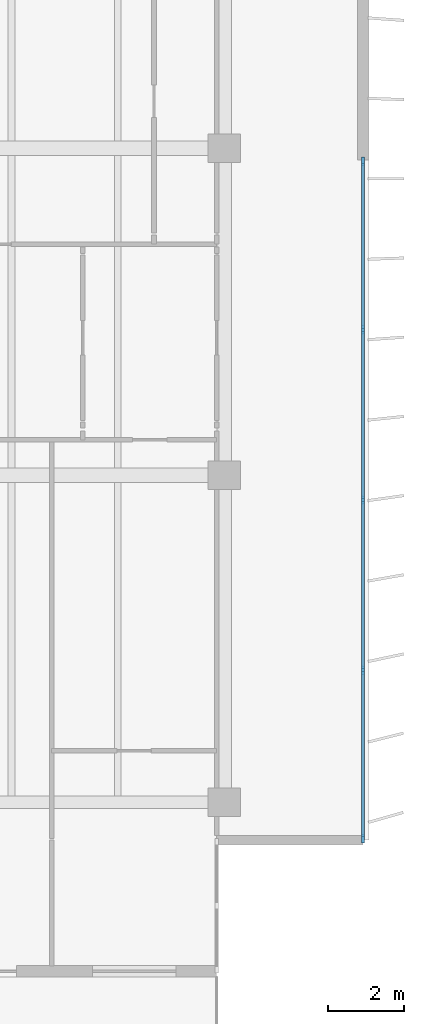
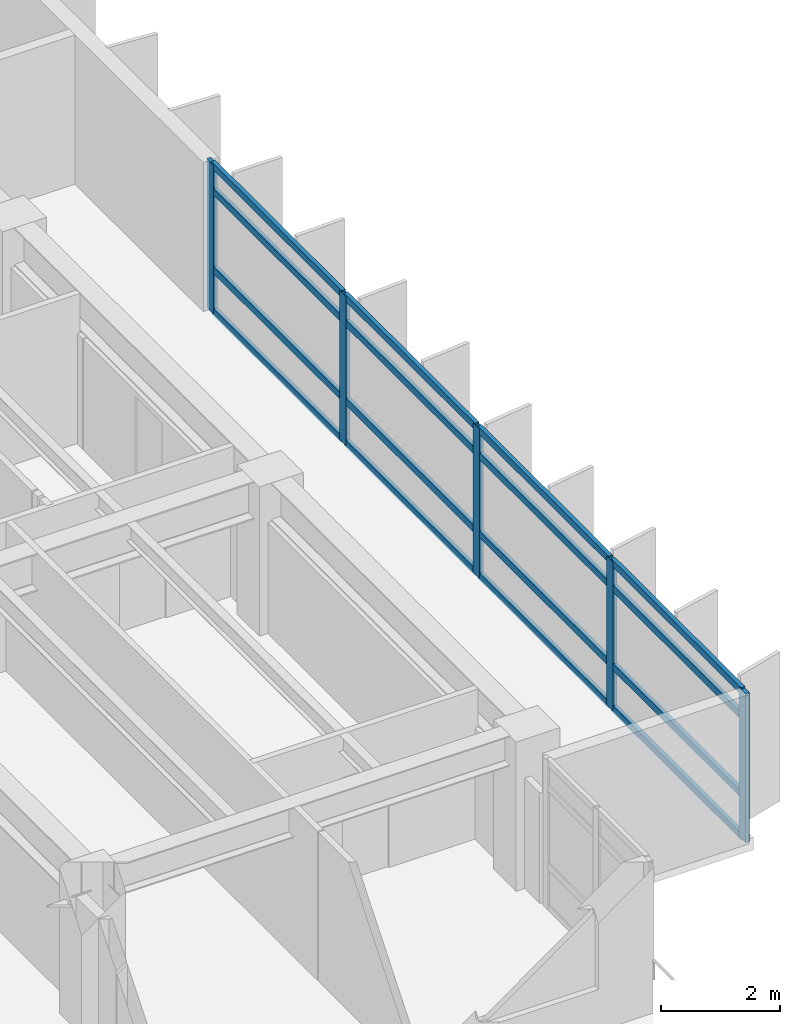
# One storey, part 6 of 19: 21 members, 1 element without a shape of its own.
"""IFC4 building model written with IfcOpenShell, lengths in metres."""

import ifcopenshell
import ifcopenshell.guid

model = None  # the IFC model being written
_history = None  # IfcOwnerHistory: only IFC2X3 demands one
_inside = {}  # id of a spatial element -> (the spatial element, [elements in it])
_under = {}  # id of a project, library or spatial element -> (it, [spatial elements below it])
_declared = {}  # id of a project -> (the project, [libraries it declares])
_typed = {}  # id of a type object -> (the type object, [elements of that type])
_made_of = {}  # id of a material, layer set ... -> (it, [elements and type objects made of it])


def new_model(schema):
    """Start an empty IFC model of exactly this schema.

    Asked for "IFC4X3", IfcOpenShell would pick the latest addendum, in which some entities
    have other attributes; the version numbers below select the first issue.
    IFC2X3 requires an IfcOwnerHistory on every rooted entity: one is made here for all.
    """
    global model, _history
    if schema == "IFC4X3":
        model = ifcopenshell.file(schema_version=(4, 3, 0, 0))
    else:
        model = ifcopenshell.file(schema=schema)
    _inside.clear()
    _under.clear()
    _declared.clear()
    _typed.clear()
    _made_of.clear()
    _history = None
    if model.schema == "IFC2X3":
        org = make("IfcOrganization", Name="unknown")
        user = make(
            "IfcPersonAndOrganization",
            ThePerson=make("IfcPerson", FamilyName="unknown"),
            TheOrganization=org,
        )
        app = make(
            "IfcApplication",
            ApplicationDeveloper=org,
            Version="unknown",
            ApplicationFullName="unknown",
            ApplicationIdentifier="unknown",
        )
        _history = make(
            "IfcOwnerHistory",
            OwningUser=user,
            OwningApplication=app,
            ChangeAction="ADDED",
            CreationDate=0,
        )
    return model


def make(cls, **values):
    """One entity of the class cls with the attributes given. An attribute that is None is left unset."""
    return model.create_entity(
        cls, **{name: value for name, value in values.items() if value is not None}
    )


def rooted(cls, **values):
    """An entity with a GlobalId (a new one), such as an element, a storey or a relation."""
    return make(cls, GlobalId=ifcopenshell.guid.new(), OwnerHistory=_history, **values)


def si_unit(unit_type, name, prefix=None):
    """IfcSIUnit, for example si_unit("LENGTHUNIT", "METRE", prefix="MILLI")."""
    return make("IfcSIUnit", UnitType=unit_type, Prefix=prefix, Name=name)


def assignment(units):
    """IfcUnitAssignment: the units of a project."""
    return None if units is None else make("IfcUnitAssignment", Units=units)


def point(xyz):
    """IfcCartesianPoint."""
    return None if xyz is None else make("IfcCartesianPoint", Coordinates=xyz)


def direction(xyz):
    """IfcDirection."""
    return None if xyz is None else make("IfcDirection", DirectionRatios=xyz)


def frame(location, z_axis=None, x_axis=None):
    """IfcAxis2Placement3D, a coordinate frame: its origin and axes. An axis left out is left unset."""
    return make(
        "IfcAxis2Placement3D",
        Location=point(location),
        Axis=direction(z_axis),
        RefDirection=direction(x_axis),
    )


def frame_2d(location, x_axis=None):
    """IfcAxis2Placement2D, a coordinate frame in the plane: its origin and x axis."""
    return make(
        "IfcAxis2Placement2D", Location=point(location), RefDirection=direction(x_axis)
    )


def origin():
    """The frame at (0, 0, 0) with its axes left unset."""
    return frame((0.0, 0.0, 0.0))


def origin_2d():
    """The frame at (0, 0) in the plane with its x axis left unset."""
    return frame_2d((0.0, 0.0))


def place(relative_to, where):
    """IfcLocalPlacement: puts the frame where relative to a parent placement (None: the world)."""
    return make(
        "IfcLocalPlacement", PlacementRelTo=relative_to, RelativePlacement=where
    )


def context(
    kind, dimensions, precision=None, world=None, true_north=None, identifier=None
):
    """IfcGeometricRepresentationContext, for example the 3D "Model" context."""
    return make(
        "IfcGeometricRepresentationContext",
        ContextIdentifier=identifier,
        ContextType=kind,
        CoordinateSpaceDimension=dimensions,
        Precision=precision,
        WorldCoordinateSystem=world,
        TrueNorth=true_north,
    )


def subcontext(parent, identifier, kind, view, scale=None):
    """IfcGeometricRepresentationSubContext, for example "Body" below "Model"."""
    return make(
        "IfcGeometricRepresentationSubContext",
        ContextIdentifier=identifier,
        ContextType=kind,
        ParentContext=parent,
        TargetScale=scale,
        TargetView=view,
    )


def project(units=None, contexts=None):
    """IfcProject with its units and contexts."""
    return rooted(
        "IfcProject",
        Name="project",
        RepresentationContexts=contexts,
        UnitsInContext=assignment(units),
    )


def spatial(cls, under=None, at=None, **own):
    """A site, building, storey or space (cls), placed at a placement, below another one or the project."""
    s = rooted(cls, ObjectPlacement=at, **own)
    if under is not None:
        _under.setdefault(under.id(), (under, []))[1].append(s)
    return s


def profile(cls, at=None, kind="AREA", **sizes):
    """A parametric profile (cls). Its sizes go by their IFC names, for example OverallWidth=200.0."""
    return make(cls, ProfileType=kind, Position=at, **sizes)


def rectangle(**sizes):
    """IfcRectangleProfileDef."""
    return profile("IfcRectangleProfileDef", **sizes)


def extrude(swept, where, along, depth):
    """IfcExtrudedAreaSolid: the profile swept, set in the frame where, extruded along a direction by depth."""
    return make(
        "IfcExtrudedAreaSolid",
        SweptArea=swept,
        Position=where,
        ExtrudedDirection=direction(along),
        Depth=depth,
    )


def shape(context_of_items, identifier, shape_type, items):
    """IfcShapeRepresentation: the items that make up one representation, for example the "Body"."""
    return make(
        "IfcShapeRepresentation",
        ContextOfItems=context_of_items,
        RepresentationIdentifier=identifier,
        RepresentationType=shape_type,
        Items=items,
    )


def material(Name=None, Category=None):
    """IfcMaterial."""
    return make("IfcMaterial", Name=Name, Category=Category)


def layer(
    of_material, thickness, ventilated=None, Name=None, Category=None, Priority=None
):
    """IfcMaterialLayer: one layer of a wall or slab, of a material (None: an air gap)."""
    return make(
        "IfcMaterialLayer",
        Material=of_material,
        LayerThickness=thickness,
        IsVentilated=ventilated,
        Name=Name,
        Category=Category,
        Priority=Priority,
    )


def layer_set(layers, Name=None):
    """IfcMaterialLayerSet."""
    return make("IfcMaterialLayerSet", MaterialLayers=layers, LayerSetName=Name)


def material_profile(
    of_material, cross_section, Name=None, Category=None, Priority=None
):
    """IfcMaterialProfile: a cross section and its material."""
    return make(
        "IfcMaterialProfile",
        Name=Name,
        Material=of_material,
        Profile=cross_section,
        Priority=Priority,
        Category=Category,
    )


def profile_set(profiles, Name=None, composite=None):
    """IfcMaterialProfileSet."""
    return make(
        "IfcMaterialProfileSet",
        Name=Name,
        MaterialProfiles=profiles,
        CompositeProfile=composite,
    )


def made_of(thing, what):
    """Note that an element or type object is made of a material, layer set ...; save() writes the relation."""
    if what is not None:
        _made_of.setdefault(what.id(), (what, []))[1].append(thing)
    return thing


def type_object(cls, material=None, **own):
    """A type object (cls), such as IfcWallType, which elements share."""
    return made_of(rooted(cls, **own), material)


def element(
    cls,
    number,
    at=None,
    inside=None,
    cuts=None,
    type_object=None,
    material=None,
    context=None,
    identifier="Body",
    shape_type=None,
    held_by="IfcProductDefinitionShape",
    body=None,
    shapes=None,
    **own,
):
    """One element of the class cls, such as IfcWall. Its Tag is "e" and its number.

    at: its placement. inside: the storey or other place that contains it. cuts: it is an
    opening in that element (IfcRelVoidsElement). A single representation is given by context,
    identifier, shape_type and body (its items); several are given by shapes. held_by: the class
    of the entity that holds the representations. save() writes the other relations.
    """
    e = rooted(cls, Tag="e%d" % number, ObjectPlacement=at, **own)
    if body is not None:
        shapes = [shape(context, identifier, shape_type, body)]
    if shapes is not None:
        e.Representation = make(held_by, Representations=shapes)
    if inside is not None:
        _inside.setdefault(inside.id(), (inside, []))[1].append(e)
    if cuts is not None:
        rooted(
            "IfcRelVoidsElement", RelatingBuildingElement=cuts, RelatedOpeningElement=e
        )
    if type_object is not None:
        _typed.setdefault(type_object.id(), (type_object, []))[1].append(e)
    return made_of(e, material)


def aggregate(whole, parts):
    """IfcRelAggregates: a whole, such as a stair, and the parts it consists of."""
    return rooted("IfcRelAggregates", RelatingObject=whole, RelatedObjects=parts)


def save(model, path):
    """Write the relations noted so far, then the file.

    IfcRelAggregates (storeys below a building ...), IfcRelContainedInSpatialStructure (elements
    in a storey), IfcRelDefinesByType, IfcRelAssociatesMaterial and IfcRelDeclares: one each for
    every whole, place, type object, material and project.
    """
    for whole, parts in _under.values():
        aggregate(whole, parts)
    for where, things in _inside.values():
        rooted(
            "IfcRelContainedInSpatialStructure",
            RelatedElements=things,
            RelatingStructure=where,
        )
    for kind, things in _typed.values():
        rooted("IfcRelDefinesByType", RelatedObjects=things, RelatingType=kind)
    for what, things in _made_of.values():
        rooted("IfcRelAssociatesMaterial", RelatedObjects=things, RelatingMaterial=what)
    for by, libraries in _declared.values():
        rooted("IfcRelDeclares", RelatingContext=by, RelatedDefinitions=libraries)
    model.write(path)


model = new_model("IFC4")

# Units and contexts
model_context = context("Model", 3, precision=1e-05, world=origin(), true_north=direction((0.0, 1.0)))
body_context = subcontext(model_context, "Body", "Model", "MODEL_VIEW")
ifc_project = project(units=[si_unit("LENGTHUNIT", "METRE"), si_unit("AREAUNIT", "SQUARE_METRE"), si_unit("VOLUMEUNIT", "CUBIC_METRE"), si_unit("PLANEANGLEUNIT", "RADIAN"), si_unit("MASSUNIT", "GRAM", prefix="KILO")], contexts=[model_context])

# Site, building, storey
site_placement = place(None, origin())
site = spatial("IfcSite", under=ifc_project, at=site_placement, CompositionType="ELEMENT")
building_placement = place(site_placement, origin())
building = spatial("IfcBuilding", under=site, at=building_placement, Name="Caelmar Bay Residences", CompositionType="ELEMENT")
storey_placement = place(building_placement, frame((0.0, 0.0, 188.39990234375)))
storey = spatial("IfcBuildingStorey", under=building, at=storey_placement, Name="L52", CompositionType="ELEMENT", Elevation=188.39990234375)

# Curtain wall, members
ifc_material_1 = material(Name="Anodised bronze aluminium 6063-T6 and laminated glass", Category="aluminium")
ifc_layer = layer(ifc_material_1, 0.179931640625)
ifc_layer_set = layer_set([ifc_layer], Name="Anodised bronze aluminium 6063-T6 and laminated glass")
curtain_wall_type = type_object("IfcCurtainWallType", Name="CW4-Z3", PredefinedType="NOTDEFINED", material=ifc_layer_set)
curtain_wall_placement = place(storey_placement, origin())
curtain_wall = element("IfcCurtainWall", 1, at=curtain_wall_placement, inside=storey, type_object=curtain_wall_type, Name="CW4 curtain wall L52", PredefinedType="NOTDEFINED")
ifc_material_2 = material(Name="Anodised bronze aluminium 6063-T6", Category="aluminium")
ifc_material_profile_1 = material_profile(ifc_material_2, rectangle(XDim=0.080078125, YDim=0.219970703125, at=origin_2d()), Name="CWM-80X220")
ifc_profile_set_1 = profile_set([ifc_material_profile_1], Name="Anodised bronze aluminium 6063-T6")
member_type_1 = type_object("IfcMemberType", Name="CWM-220", PredefinedType="MULLION", material=ifc_profile_set_1)
member_1_placement = place(storey_placement, frame((71.550048828125, 29.06005859375, 0.0), z_axis=(0.0, 0.0, 1.0), x_axis=(1.0, 0.0, 0.0)))
member_1 = element("IfcMember", 2, at=member_1_placement, type_object=member_type_1, Name="CW4 mullion 1", PredefinedType="MULLION", context=body_context, shape_type="SweptSolid", body=[
    extrude(rectangle(XDim=0.080078125, YDim=0.219970703125, at=origin_2d()), origin(), (0.0, 0.0, 1.0), 3.050048828125),
])
member_2_placement = place(storey_placement, frame((71.550048828125, 24.625, 0.0), z_axis=(0.0, 0.0, 1.0), x_axis=(1.0, 0.0, 0.0)))
member_2 = element("IfcMember", 3, at=member_2_placement, type_object=member_type_1, Name="CW4 mullion 2", PredefinedType="MULLION", context=body_context, shape_type="SweptSolid", body=[
    extrude(rectangle(XDim=0.080078125, YDim=0.219970703125, at=origin_2d()), origin(), (0.0, 0.0, 1.0), 3.050048828125),
])
member_3_placement = place(storey_placement, frame((71.550048828125, 20.14990234375, 0.0), z_axis=(0.0, 0.0, 1.0), x_axis=(1.0, 0.0, 0.0)))
member_3 = element("IfcMember", 4, at=member_3_placement, type_object=member_type_1, Name="CW4 mullion 3", PredefinedType="MULLION", context=body_context, shape_type="SweptSolid", body=[
    extrude(rectangle(XDim=0.080078125, YDim=0.219970703125, at=origin_2d()), origin(), (0.0, 0.0, 1.0), 3.050048828125),
])
member_4_placement = place(storey_placement, frame((71.550048828125, 15.675048828125, 0.0), z_axis=(0.0, 0.0, 1.0), x_axis=(1.0, 0.0, 0.0)))
member_4 = element("IfcMember", 5, at=member_4_placement, type_object=member_type_1, Name="CW4 mullion 4", PredefinedType="MULLION", context=body_context, shape_type="SweptSolid", body=[
    extrude(rectangle(XDim=0.080078125, YDim=0.219970703125, at=origin_2d()), origin(), (0.0, 0.0, 1.0), 3.050048828125),
])
member_5_placement = place(storey_placement, frame((71.550048828125, 11.239990234375, 0.0), z_axis=(0.0, 0.0, 1.0), x_axis=(1.0, 0.0, 0.0)))
member_5 = element("IfcMember", 6, at=member_5_placement, type_object=member_type_1, Name="CW4 mullion 5", PredefinedType="MULLION", context=body_context, shape_type="SweptSolid", body=[
    extrude(rectangle(XDim=0.080078125, YDim=0.219970703125, at=origin_2d()), origin(), (0.0, 0.0, 1.0), 3.050048828125),
])
ifc_material_profile_2 = material_profile(ifc_material_2, rectangle(XDim=0.080078125, YDim=0.139892578125, at=origin_2d()), Name="CWT-80X140")
ifc_profile_set_2 = profile_set([ifc_material_profile_2], Name="Anodised bronze aluminium 6063-T6")
member_type_2 = type_object("IfcMemberType", Name="CWT-140", PredefinedType="NOTDEFINED", material=ifc_profile_set_2)
member_6_placement = place(storey_placement, frame((71.550048828125, 29.02001953125, 0.0400390625), z_axis=(0.0, -1.0, 0.0), x_axis=(1.0, 0.0, 0.0)))
member_6 = element("IfcMember", 7, at=member_6_placement, type_object=member_type_2, Name="CW4 transom 1.1", ObjectType="TRANSOM", PredefinedType="USERDEFINED", context=body_context, shape_type="SweptSolid", body=[
    extrude(rectangle(XDim=0.080078125, YDim=0.139892578125, at=origin_2d()), origin(), (0.0, 0.0, 1.0), 4.35498046875),
])
member_7_placement = place(storey_placement, frame((71.550048828125, 29.02001953125, 0.900146484375), z_axis=(0.0, -1.0, 0.0), x_axis=(1.0, 0.0, 0.0)))
member_7 = element("IfcMember", 8, at=member_7_placement, type_object=member_type_2, Name="CW4 transom 1.2", ObjectType="TRANSOM", PredefinedType="USERDEFINED", context=body_context, shape_type="SweptSolid", body=[
    extrude(rectangle(XDim=0.080078125, YDim=0.139892578125, at=origin_2d()), origin(), (0.0, 0.0, 1.0), 4.35498046875),
])
member_8_placement = place(storey_placement, frame((71.550048828125, 29.02001953125, 2.5), z_axis=(0.0, -1.0, 0.0), x_axis=(1.0, 0.0, 0.0)))
member_8 = element("IfcMember", 9, at=member_8_placement, type_object=member_type_2, Name="CW4 transom 1.3", ObjectType="TRANSOM", PredefinedType="USERDEFINED", context=body_context, shape_type="SweptSolid", body=[
    extrude(rectangle(XDim=0.080078125, YDim=0.139892578125, at=origin_2d()), origin(), (0.0, 0.0, 1.0), 4.35498046875),
])
member_9_placement = place(storey_placement, frame((71.550048828125, 29.02001953125, 3.010009765625), z_axis=(0.0, -1.0, 0.0), x_axis=(1.0, 0.0, 0.0)))
member_9 = element("IfcMember", 10, at=member_9_placement, type_object=member_type_2, Name="CW4 transom 1.4", ObjectType="TRANSOM", PredefinedType="USERDEFINED", context=body_context, shape_type="SweptSolid", body=[
    extrude(rectangle(XDim=0.080078125, YDim=0.139892578125, at=origin_2d()), origin(), (0.0, 0.0, 1.0), 4.35498046875),
])
member_10_placement = place(storey_placement, frame((71.550048828125, 24.5849609375, 0.0400390625), z_axis=(0.0, -1.0, 0.0), x_axis=(1.0, 0.0, 0.0)))
member_10 = element("IfcMember", 11, at=member_10_placement, type_object=member_type_2, Name="CW4 transom 2.1", ObjectType="TRANSOM", PredefinedType="USERDEFINED", context=body_context, shape_type="SweptSolid", body=[
    extrude(rectangle(XDim=0.080078125, YDim=0.139892578125, at=origin_2d()), origin(), (0.0, 0.0, 1.0), 4.39501953125),
])
member_11_placement = place(storey_placement, frame((71.550048828125, 24.5849609375, 0.900146484375), z_axis=(0.0, -1.0, 0.0), x_axis=(1.0, 0.0, 0.0)))
member_11 = element("IfcMember", 12, at=member_11_placement, type_object=member_type_2, Name="CW4 transom 2.2", ObjectType="TRANSOM", PredefinedType="USERDEFINED", context=body_context, shape_type="SweptSolid", body=[
    extrude(rectangle(XDim=0.080078125, YDim=0.139892578125, at=origin_2d()), origin(), (0.0, 0.0, 1.0), 4.39501953125),
])
member_12_placement = place(storey_placement, frame((71.550048828125, 24.5849609375, 2.5), z_axis=(0.0, -1.0, 0.0), x_axis=(1.0, 0.0, 0.0)))
member_12 = element("IfcMember", 13, at=member_12_placement, type_object=member_type_2, Name="CW4 transom 2.3", ObjectType="TRANSOM", PredefinedType="USERDEFINED", context=body_context, shape_type="SweptSolid", body=[
    extrude(rectangle(XDim=0.080078125, YDim=0.139892578125, at=origin_2d()), origin(), (0.0, 0.0, 1.0), 4.39501953125),
])
member_13_placement = place(storey_placement, frame((71.550048828125, 24.5849609375, 3.010009765625), z_axis=(0.0, -1.0, 0.0), x_axis=(1.0, 0.0, 0.0)))
member_13 = element("IfcMember", 14, at=member_13_placement, type_object=member_type_2, Name="CW4 transom 2.4", ObjectType="TRANSOM", PredefinedType="USERDEFINED", context=body_context, shape_type="SweptSolid", body=[
    extrude(rectangle(XDim=0.080078125, YDim=0.139892578125, at=origin_2d()), origin(), (0.0, 0.0, 1.0), 4.39501953125),
])
member_14_placement = place(storey_placement, frame((71.550048828125, 20.110107421875, 0.0400390625), z_axis=(0.0, -1.0, 0.0), x_axis=(1.0, 0.0, 0.0)))
member_14 = element("IfcMember", 15, at=member_14_placement, type_object=member_type_2, Name="CW4 transom 3.1", ObjectType="TRANSOM", PredefinedType="USERDEFINED", context=body_context, shape_type="SweptSolid", body=[
    extrude(rectangle(XDim=0.080078125, YDim=0.139892578125, at=origin_2d()), origin(), (0.0, 0.0, 1.0), 4.39501953125),
])
member_15_placement = place(storey_placement, frame((71.550048828125, 20.110107421875, 0.900146484375), z_axis=(0.0, -1.0, 0.0), x_axis=(1.0, 0.0, 0.0)))
member_15 = element("IfcMember", 16, at=member_15_placement, type_object=member_type_2, Name="CW4 transom 3.2", ObjectType="TRANSOM", PredefinedType="USERDEFINED", context=body_context, shape_type="SweptSolid", body=[
    extrude(rectangle(XDim=0.080078125, YDim=0.139892578125, at=origin_2d()), origin(), (0.0, 0.0, 1.0), 4.39501953125),
])
member_16_placement = place(storey_placement, frame((71.550048828125, 20.110107421875, 2.5), z_axis=(0.0, -1.0, 0.0), x_axis=(1.0, 0.0, 0.0)))
member_16 = element("IfcMember", 17, at=member_16_placement, type_object=member_type_2, Name="CW4 transom 3.3", ObjectType="TRANSOM", PredefinedType="USERDEFINED", context=body_context, shape_type="SweptSolid", body=[
    extrude(rectangle(XDim=0.080078125, YDim=0.139892578125, at=origin_2d()), origin(), (0.0, 0.0, 1.0), 4.39501953125),
])
member_17_placement = place(storey_placement, frame((71.550048828125, 20.110107421875, 3.010009765625), z_axis=(0.0, -1.0, 0.0), x_axis=(1.0, 0.0, 0.0)))
member_17 = element("IfcMember", 18, at=member_17_placement, type_object=member_type_2, Name="CW4 transom 3.4", ObjectType="TRANSOM", PredefinedType="USERDEFINED", context=body_context, shape_type="SweptSolid", body=[
    extrude(rectangle(XDim=0.080078125, YDim=0.139892578125, at=origin_2d()), origin(), (0.0, 0.0, 1.0), 4.39501953125),
])
member_18_placement = place(storey_placement, frame((71.550048828125, 15.635009765625, 0.0400390625), z_axis=(0.0, -1.0, 0.0), x_axis=(1.0, 0.0, 0.0)))
member_18 = element("IfcMember", 19, at=member_18_placement, type_object=member_type_2, Name="CW4 transom 4.1", ObjectType="TRANSOM", PredefinedType="USERDEFINED", context=body_context, shape_type="SweptSolid", body=[
    extrude(rectangle(XDim=0.080078125, YDim=0.139892578125, at=origin_2d()), origin(), (0.0, 0.0, 1.0), 4.35498046875),
])
member_19_placement = place(storey_placement, frame((71.550048828125, 15.635009765625, 0.900146484375), z_axis=(0.0, -1.0, 0.0), x_axis=(1.0, 0.0, 0.0)))
member_19 = element("IfcMember", 20, at=member_19_placement, type_object=member_type_2, Name="CW4 transom 4.2", ObjectType="TRANSOM", PredefinedType="USERDEFINED", context=body_context, shape_type="SweptSolid", body=[
    extrude(rectangle(XDim=0.080078125, YDim=0.139892578125, at=origin_2d()), origin(), (0.0, 0.0, 1.0), 4.35498046875),
])
member_20_placement = place(storey_placement, frame((71.550048828125, 15.635009765625, 2.5), z_axis=(0.0, -1.0, 0.0), x_axis=(1.0, 0.0, 0.0)))
member_20 = element("IfcMember", 21, at=member_20_placement, type_object=member_type_2, Name="CW4 transom 4.3", ObjectType="TRANSOM", PredefinedType="USERDEFINED", context=body_context, shape_type="SweptSolid", body=[
    extrude(rectangle(XDim=0.080078125, YDim=0.139892578125, at=origin_2d()), origin(), (0.0, 0.0, 1.0), 4.35498046875),
])
member_21_placement = place(storey_placement, frame((71.550048828125, 15.635009765625, 3.010009765625), z_axis=(0.0, -1.0, 0.0), x_axis=(1.0, 0.0, 0.0)))
member_21 = element("IfcMember", 22, at=member_21_placement, type_object=member_type_2, Name="CW4 transom 4.4", ObjectType="TRANSOM", PredefinedType="USERDEFINED", context=body_context, shape_type="SweptSolid", body=[
    extrude(rectangle(XDim=0.080078125, YDim=0.139892578125, at=origin_2d()), origin(), (0.0, 0.0, 1.0), 4.35498046875),
])
aggregate(curtain_wall, [member_1, member_2, member_3, member_4, member_5, member_6, member_7, member_8, member_9, member_10, member_11, member_12, member_13, member_14, member_15, member_16, member_17, member_18, member_19, member_20, member_21])

save(model, "model.ifc")
